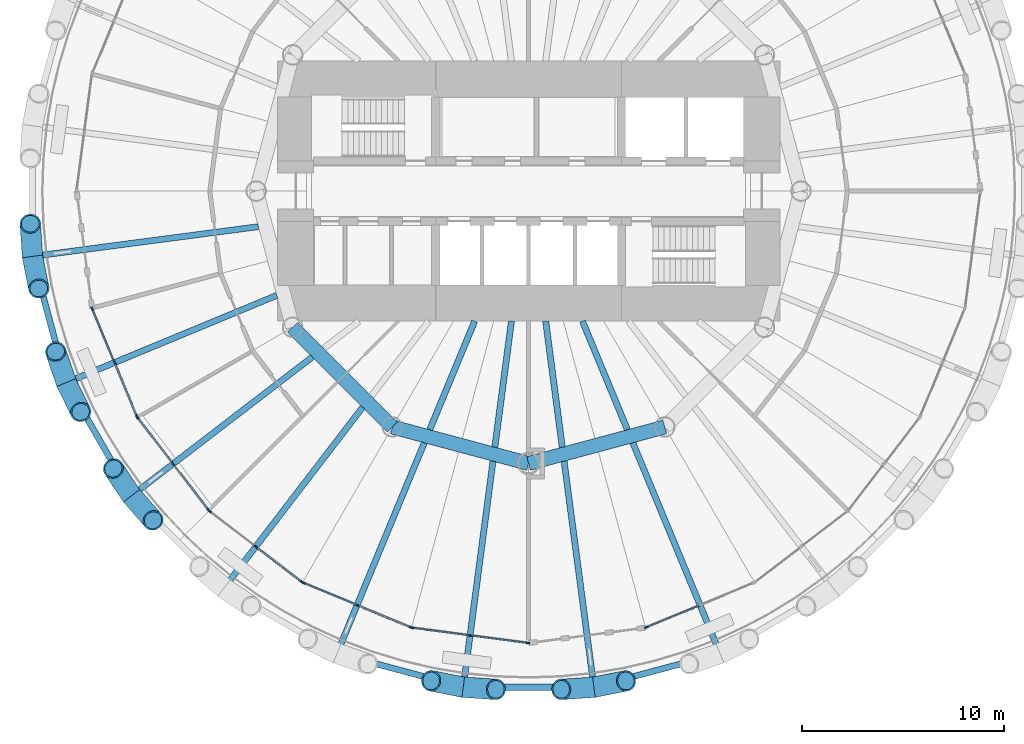
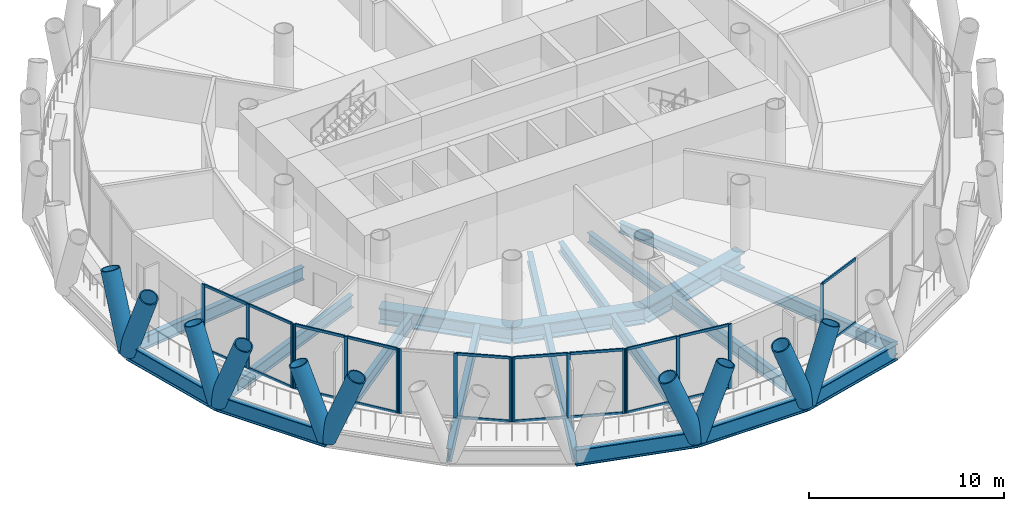
# One storey, part 2 of 14: 46 members, 20 beams, 6 elements without a shape of their own.
"""IFC4 building model written with IfcOpenShell, lengths in metres."""

from ifc_helpers import new_model, si_unit, direction, frame, origin, origin_2d, place, context, subcontext, project, spatial, rectangle, hollow_circle, i_section, extrude, material, material_profile, profile_set, type_object, element, aggregate, save


model = new_model("IFC4")

# Units and contexts
model_context = context("Model", 3, precision=1e-05, world=origin(), true_north=direction((0.0, 1.0)))
body_context = subcontext(model_context, "Body", "Model", "MODEL_VIEW")
ifc_project = project(units=[si_unit("LENGTHUNIT", "METRE"), si_unit("AREAUNIT", "SQUARE_METRE"), si_unit("VOLUMEUNIT", "CUBIC_METRE"), si_unit("PLANEANGLEUNIT", "RADIAN"), si_unit("MASSUNIT", "GRAM", prefix="KILO")], contexts=[model_context])

# Site, building, storey
site_placement = place(None, origin())
site = spatial("IfcSite", under=ifc_project, at=site_placement, CompositionType="ELEMENT")
building_placement = place(site_placement, origin())
building = spatial("IfcBuilding", under=site, at=building_placement, Name="Qaws Media Tower", CompositionType="ELEMENT")
storey_placement = place(building_placement, frame((0.0, 0.0, 152.0)))
storey = spatial("IfcBuildingStorey", under=building, at=storey_placement, Name="L34", CompositionType="ELEMENT", Elevation=152.0)

# Curtain wall, members
ifc_material_1 = material(Name="Aluminium and clear glass", Category="aluminium")
curtain_wall_type = type_object("IfcCurtainWallType", Name="Unitised curtain wall CW-B", PredefinedType="NOTDEFINED", material=ifc_material_1)
curtain_wall_1_placement = place(storey_placement, origin())
curtain_wall_1 = element("IfcCurtainWall", 1, at=curtain_wall_1_placement, inside=storey, type_object=curtain_wall_type, Name="CWB curtain wall L34-14", PredefinedType="NOTDEFINED")
ifc_material_2 = material(Name="Aluminium mullion", Category="aluminium")
ifc_material_profile_1 = material_profile(ifc_material_2, rectangle(XDim=0.080078125, YDim=0.199951171875, at=origin_2d()), Name="80x200")
ifc_profile_set_1 = profile_set([ifc_material_profile_1], Name="Aluminium mullion")
member_type_1 = type_object("IfcMemberType", Name="Curtain wall mullion 80x200", PredefinedType="MULLION", material=ifc_profile_set_1)
member_1_placement = place(storey_placement, frame((38.378662109375, 44.16552734375, 0.0), z_axis=(0.0, 0.0, 1.0), x_axis=(0.923879490353, 0.382683534144, 0.0)))
member_1 = element("IfcMember", 2, at=member_1_placement, type_object=member_type_1, Name="CWB mullion 1", PredefinedType="MULLION", context=body_context, shape_type="SweptSolid", body=[
    extrude(rectangle(XDim=0.080078125, YDim=0.199951171875, at=origin_2d()), origin(), (0.0, 0.0, 1.0), 4.0400390625),
])
member_2_placement = place(storey_placement, frame((39.482177734375, 41.501220703125, 0.0), z_axis=(0.0, 0.0, 1.0), x_axis=(0.923879490353, 0.382683534144, 0.0)))
member_2 = element("IfcMember", 3, at=member_2_placement, type_object=member_type_1, Name="CWB mullion 2", PredefinedType="MULLION", context=body_context, shape_type="SweptSolid", body=[
    extrude(rectangle(XDim=0.080078125, YDim=0.199951171875, at=origin_2d()), origin(), (0.0, 0.0, 1.0), 4.0400390625),
])
member_3_placement = place(storey_placement, frame((40.585693359375, 38.8369140625, 0.0), z_axis=(0.0, 0.0, 1.0), x_axis=(0.923879490353, 0.382683534144, 0.0)))
member_3 = element("IfcMember", 4, at=member_3_placement, type_object=member_type_1, Name="CWB mullion 3", PredefinedType="MULLION", context=body_context, shape_type="SweptSolid", body=[
    extrude(rectangle(XDim=0.080078125, YDim=0.199951171875, at=origin_2d()), origin(), (0.0, 0.0, 1.0), 4.0400390625),
])

curtain_wall_2_placement = place(storey_placement, origin())
curtain_wall_2 = element("IfcCurtainWall", 5, at=curtain_wall_2_placement, inside=storey, type_object=curtain_wall_type, Name="CWB curtain wall L34-15", PredefinedType="NOTDEFINED")
member_4_placement = place(storey_placement, frame((40.62548828125, 38.768310546875, 0.0), z_axis=(0.0, 0.0, 1.0), x_axis=(0.793353358789, 0.608761404902, 0.0)))
member_4 = element("IfcMember", 6, at=member_4_placement, type_object=member_type_1, Name="CWB mullion 1", PredefinedType="MULLION", context=body_context, shape_type="SweptSolid", body=[
    extrude(rectangle(XDim=0.080078125, YDim=0.199951171875, at=origin_2d()), origin(), (0.0, 0.0, 1.0), 4.0400390625),
])
member_5_placement = place(storey_placement, frame((42.380859375, 36.48046875, 0.0), z_axis=(0.0, 0.0, 1.0), x_axis=(0.793353358789, 0.608761404902, 0.0)))
member_5 = element("IfcMember", 7, at=member_5_placement, type_object=member_type_1, Name="CWB mullion 2", PredefinedType="MULLION", context=body_context, shape_type="SweptSolid", body=[
    extrude(rectangle(XDim=0.080078125, YDim=0.199951171875, at=origin_2d()), origin(), (0.0, 0.0, 1.0), 4.0400390625),
])
member_6_placement = place(storey_placement, frame((44.136474609375, 34.192626953125, 0.0), z_axis=(0.0, 0.0, 1.0), x_axis=(0.793353358789, 0.608761404902, 0.0)))
member_6 = element("IfcMember", 8, at=member_6_placement, type_object=member_type_1, Name="CWB mullion 3", PredefinedType="MULLION", context=body_context, shape_type="SweptSolid", body=[
    extrude(rectangle(XDim=0.080078125, YDim=0.199951171875, at=origin_2d()), origin(), (0.0, 0.0, 1.0), 4.0400390625),
])

curtain_wall_3_placement = place(storey_placement, origin())
curtain_wall_3 = element("IfcCurtainWall", 9, at=curtain_wall_3_placement, inside=storey, type_object=curtain_wall_type, Name="CWB curtain wall L34-16", PredefinedType="NOTDEFINED")
member_7_placement = place(storey_placement, frame((44.192626953125, 34.136474609375, 0.0), z_axis=(0.0, 0.0, 1.0), x_axis=(0.608761404902, 0.793353358789, 0.0)))
member_7 = element("IfcMember", 10, at=member_7_placement, type_object=member_type_1, Name="CWB mullion 1", PredefinedType="MULLION", context=body_context, shape_type="SweptSolid", body=[
    extrude(rectangle(XDim=0.080078125, YDim=0.199951171875, at=origin_2d()), origin(), (0.0, 0.0, 1.0), 4.0400390625),
])
member_8_placement = place(storey_placement, frame((46.48046875, 32.380859375, 0.0), z_axis=(0.0, 0.0, 1.0), x_axis=(0.608761404902, 0.793353358789, 0.0)))
member_8 = element("IfcMember", 11, at=member_8_placement, type_object=member_type_1, Name="CWB mullion 2", PredefinedType="MULLION", context=body_context, shape_type="SweptSolid", body=[
    extrude(rectangle(XDim=0.080078125, YDim=0.199951171875, at=origin_2d()), origin(), (0.0, 0.0, 1.0), 4.0400390625),
])
member_9_placement = place(storey_placement, frame((48.768310546875, 30.62548828125, 0.0), z_axis=(0.0, 0.0, 1.0), x_axis=(0.608761404902, 0.793353358789, 0.0)))
member_9 = element("IfcMember", 12, at=member_9_placement, type_object=member_type_1, Name="CWB mullion 3", PredefinedType="MULLION", context=body_context, shape_type="SweptSolid", body=[
    extrude(rectangle(XDim=0.080078125, YDim=0.199951171875, at=origin_2d()), origin(), (0.0, 0.0, 1.0), 4.0400390625),
])

curtain_wall_4_placement = place(storey_placement, origin())
curtain_wall_4 = element("IfcCurtainWall", 13, at=curtain_wall_4_placement, inside=storey, type_object=curtain_wall_type, Name="CWB curtain wall L34-17", PredefinedType="NOTDEFINED")
member_10_placement = place(storey_placement, frame((48.8369140625, 30.585693359375, 0.0), z_axis=(0.0, 0.0, 1.0), x_axis=(0.382683534144, 0.923879490353, 0.0)))
member_10 = element("IfcMember", 14, at=member_10_placement, type_object=member_type_1, Name="CWB mullion 1", PredefinedType="MULLION", context=body_context, shape_type="SweptSolid", body=[
    extrude(rectangle(XDim=0.080078125, YDim=0.199951171875, at=origin_2d()), origin(), (0.0, 0.0, 1.0), 4.0400390625),
])
member_11_placement = place(storey_placement, frame((51.501220703125, 29.482177734375, 0.0), z_axis=(0.0, 0.0, 1.0), x_axis=(0.382683534144, 0.923879490353, 0.0)))
member_11 = element("IfcMember", 15, at=member_11_placement, type_object=member_type_1, Name="CWB mullion 2", PredefinedType="MULLION", context=body_context, shape_type="SweptSolid", body=[
    extrude(rectangle(XDim=0.080078125, YDim=0.199951171875, at=origin_2d()), origin(), (0.0, 0.0, 1.0), 4.0400390625),
])
member_12_placement = place(storey_placement, frame((54.16552734375, 28.378662109375, 0.0), z_axis=(0.0, 0.0, 1.0), x_axis=(0.382683534144, 0.923879490353, 0.0)))
member_12 = element("IfcMember", 16, at=member_12_placement, type_object=member_type_1, Name="CWB mullion 3", PredefinedType="MULLION", context=body_context, shape_type="SweptSolid", body=[
    extrude(rectangle(XDim=0.080078125, YDim=0.199951171875, at=origin_2d()), origin(), (0.0, 0.0, 1.0), 4.0400390625),
])

curtain_wall_5_placement = place(storey_placement, origin())
curtain_wall_5 = element("IfcCurtainWall", 17, at=curtain_wall_5_placement, inside=storey, type_object=curtain_wall_type, Name="CWB curtain wall L34-18", PredefinedType="NOTDEFINED")
member_13_placement = place(storey_placement, frame((54.2421875, 28.358154296875, 0.0), z_axis=(0.0, 0.0, 1.0), x_axis=(0.130526101045, 0.991444873377, 0.0)))
member_13 = element("IfcMember", 18, at=member_13_placement, type_object=member_type_1, Name="CWB mullion 1", PredefinedType="MULLION", context=body_context, shape_type="SweptSolid", body=[
    extrude(rectangle(XDim=0.080078125, YDim=0.199951171875, at=origin_2d()), origin(), (0.0, 0.0, 1.0), 4.0400390625),
])
member_14_placement = place(storey_placement, frame((57.101318359375, 27.981689453125, 0.0), z_axis=(0.0, 0.0, 1.0), x_axis=(0.130526101045, 0.991444873377, 0.0)))
member_14 = element("IfcMember", 19, at=member_14_placement, type_object=member_type_1, Name="CWB mullion 2", PredefinedType="MULLION", context=body_context, shape_type="SweptSolid", body=[
    extrude(rectangle(XDim=0.080078125, YDim=0.199951171875, at=origin_2d()), origin(), (0.0, 0.0, 1.0), 4.0400390625),
])
member_15_placement = place(storey_placement, frame((59.96044921875, 27.605224609375, 0.0), z_axis=(0.0, 0.0, 1.0), x_axis=(0.130526101045, 0.991444873377, 0.0)))
member_15 = element("IfcMember", 20, at=member_15_placement, type_object=member_type_1, Name="CWB mullion 3", PredefinedType="MULLION", context=body_context, shape_type="SweptSolid", body=[
    extrude(rectangle(XDim=0.080078125, YDim=0.199951171875, at=origin_2d()), origin(), (0.0, 0.0, 1.0), 4.0400390625),
])

# Curtain wall, member
curtain_wall_6_placement = place(storey_placement, origin())
curtain_wall_6 = element("IfcCurtainWall", 21, at=curtain_wall_6_placement, inside=storey, type_object=curtain_wall_type, Name="CWB curtain wall L34-20", PredefinedType="NOTDEFINED")
member_16_placement = place(storey_placement, frame((65.83447265625, 28.378662109375, 0.0), z_axis=(0.0, 0.0, 1.0), x_axis=(-0.382683534144, 0.923879490353, 0.0)))
member_16 = element("IfcMember", 22, at=member_16_placement, type_object=member_type_1, Name="CWB mullion 1", PredefinedType="MULLION", context=body_context, shape_type="SweptSolid", body=[
    extrude(rectangle(XDim=0.080078125, YDim=0.199951171875, at=origin_2d()), origin(), (0.0, 0.0, 1.0), 4.0400390625),
])

# Member
ifc_material_3 = material(Name="Aluminium transom", Category="aluminium")
ifc_material_profile_2 = material_profile(ifc_material_3, rectangle(XDim=0.080078125, YDim=0.159912109375, at=origin_2d()), Name="80x160")
ifc_profile_set_2 = profile_set([ifc_material_profile_2], Name="Aluminium transom")
member_type_2 = type_object("IfcMemberType", Name="Curtain wall transom 80x160", PredefinedType="USERDEFINED", material=ifc_profile_set_2)
member_17_placement = place(storey_placement, frame((38.393798828125, 44.128662109375, 0.0400390625), z_axis=(0.382667074186, -0.923886308121, 0.0), x_axis=(0.923886308121, 0.382667074186, 0.0)))
member_17 = element("IfcMember", 23, at=member_17_placement, type_object=member_type_2, Name="CWB transom 1.1", ObjectType="TRANSOM", PredefinedType="USERDEFINED", context=body_context, shape_type="SweptSolid", body=[
    extrude(rectangle(XDim=0.080078125, YDim=0.159912109375, at=origin_2d()), origin(), (0.0, 0.0, 1.0), 2.803955078125),
])

member_18_placement = place(storey_placement, frame((38.393798828125, 44.128662109375, 4.0), z_axis=(0.382667074186, -0.923886308121, 0.0), x_axis=(0.923886308121, 0.382667074186, 0.0)))
member_18 = element("IfcMember", 24, at=member_18_placement, type_object=member_type_2, Name="CWB transom 1.2", ObjectType="TRANSOM", PredefinedType="USERDEFINED", context=body_context, shape_type="SweptSolid", body=[
    extrude(rectangle(XDim=0.080078125, YDim=0.159912109375, at=origin_2d()), origin(), (0.0, 0.0, 1.0), 2.803955078125),
])

member_19_placement = place(storey_placement, frame((39.49755859375, 41.46435546875, 0.0400390625), z_axis=(0.382623532262, -0.923904341671, 0.0), x_axis=(0.923904341671, 0.382623532262, 0.0)))
member_19 = element("IfcMember", 25, at=member_19_placement, type_object=member_type_2, Name="CWB transom 2.1", ObjectType="TRANSOM", PredefinedType="USERDEFINED", context=body_context, shape_type="SweptSolid", body=[
    extrude(rectangle(XDim=0.080078125, YDim=0.159912109375, at=origin_2d()), origin(), (0.0, 0.0, 1.0), 2.8037109375),
])

member_20_placement = place(storey_placement, frame((39.49755859375, 41.46435546875, 4.0), z_axis=(0.382623532262, -0.923904341671, 0.0), x_axis=(0.923904341671, 0.382623532262, 0.0)))
member_20 = element("IfcMember", 26, at=member_20_placement, type_object=member_type_2, Name="CWB transom 2.2", ObjectType="TRANSOM", PredefinedType="USERDEFINED", context=body_context, shape_type="SweptSolid", body=[
    extrude(rectangle(XDim=0.080078125, YDim=0.159912109375, at=origin_2d()), origin(), (0.0, 0.0, 1.0), 2.8037109375),
])

aggregate(curtain_wall_1, [member_1, member_2, member_3, member_17, member_18, member_19, member_20])

member_21_placement = place(storey_placement, frame((40.649658203125, 38.736572265625, 0.0400390625), z_axis=(0.608809864482, -0.793316172096, 0.0), x_axis=(0.793316172096, 0.608809864482, 0.0)))
member_21 = element("IfcMember", 27, at=member_21_placement, type_object=member_type_2, Name="CWB transom 1.1", ObjectType="TRANSOM", PredefinedType="USERDEFINED", context=body_context, shape_type="SweptSolid", body=[
    extrude(rectangle(XDim=0.080078125, YDim=0.159912109375, at=origin_2d()), origin(), (0.0, 0.0, 1.0), 2.803955078125),
])

member_22_placement = place(storey_placement, frame((40.649658203125, 38.736572265625, 4.0), z_axis=(0.608809864482, -0.793316172096, 0.0), x_axis=(0.793316172096, 0.608809864482, 0.0)))
member_22 = element("IfcMember", 28, at=member_22_placement, type_object=member_type_2, Name="CWB transom 1.2", ObjectType="TRANSOM", PredefinedType="USERDEFINED", context=body_context, shape_type="SweptSolid", body=[
    extrude(rectangle(XDim=0.080078125, YDim=0.159912109375, at=origin_2d()), origin(), (0.0, 0.0, 1.0), 2.803955078125),
])

member_23_placement = place(storey_placement, frame((42.4052734375, 36.44873046875, 0.0400390625), z_axis=(0.608755061094, -0.793358226524, 0.0), x_axis=(0.793358226524, 0.608755061094, 0.0)))
member_23 = element("IfcMember", 29, at=member_23_placement, type_object=member_type_2, Name="CWB transom 2.1", ObjectType="TRANSOM", PredefinedType="USERDEFINED", context=body_context, shape_type="SweptSolid", body=[
    extrude(rectangle(XDim=0.080078125, YDim=0.159912109375, at=origin_2d()), origin(), (0.0, 0.0, 1.0), 2.8037109375),
])

member_24_placement = place(storey_placement, frame((42.4052734375, 36.44873046875, 4.0), z_axis=(0.608755061094, -0.793358226524, 0.0), x_axis=(0.793358226524, 0.608755061094, 0.0)))
member_24 = element("IfcMember", 30, at=member_24_placement, type_object=member_type_2, Name="CWB transom 2.2", ObjectType="TRANSOM", PredefinedType="USERDEFINED", context=body_context, shape_type="SweptSolid", body=[
    extrude(rectangle(XDim=0.080078125, YDim=0.159912109375, at=origin_2d()), origin(), (0.0, 0.0, 1.0), 2.8037109375),
])

aggregate(curtain_wall_2, [member_4, member_5, member_6, member_21, member_22, member_23, member_24])

member_25_placement = place(storey_placement, frame((46.51220703125, 32.356689453125, 0.0400390625), z_axis=(0.793316172096, -0.608809864482, 0.0), x_axis=(0.608809864482, 0.793316172096, 0.0)))
member_25 = element("IfcMember", 31, at=member_25_placement, type_object=member_type_2, Name="CWB transom 2.1", ObjectType="TRANSOM", PredefinedType="USERDEFINED", context=body_context, shape_type="SweptSolid", body=[
    extrude(rectangle(XDim=0.080078125, YDim=0.159912109375, at=origin_2d()), origin(), (0.0, 0.0, 1.0), 2.803955078125),
])

member_26_placement = place(storey_placement, frame((46.51220703125, 32.356689453125, 4.0), z_axis=(0.793316172096, -0.608809864482, 0.0), x_axis=(0.608809864482, 0.793316172096, 0.0)))
member_26 = element("IfcMember", 32, at=member_26_placement, type_object=member_type_2, Name="CWB transom 2.2", ObjectType="TRANSOM", PredefinedType="USERDEFINED", context=body_context, shape_type="SweptSolid", body=[
    extrude(rectangle(XDim=0.080078125, YDim=0.159912109375, at=origin_2d()), origin(), (0.0, 0.0, 1.0), 2.803955078125),
])

aggregate(curtain_wall_3, [member_7, member_8, member_9, member_25, member_26])

member_27_placement = place(storey_placement, frame((48.8740234375, 30.5703125, 0.0400390625), z_axis=(0.923904341671, -0.382623532262, 0.0), x_axis=(0.382623532262, 0.923904341671, 0.0)))
member_27 = element("IfcMember", 33, at=member_27_placement, type_object=member_type_2, Name="CWB transom 1.1", ObjectType="TRANSOM", PredefinedType="USERDEFINED", context=body_context, shape_type="SweptSolid", body=[
    extrude(rectangle(XDim=0.080078125, YDim=0.159912109375, at=origin_2d()), origin(), (0.0, 0.0, 1.0), 2.8037109375),
])

member_28_placement = place(storey_placement, frame((48.8740234375, 30.5703125, 4.0), z_axis=(0.923904341671, -0.382623532262, 0.0), x_axis=(0.382623532262, 0.923904341671, 0.0)))
member_28 = element("IfcMember", 34, at=member_28_placement, type_object=member_type_2, Name="CWB transom 1.2", ObjectType="TRANSOM", PredefinedType="USERDEFINED", context=body_context, shape_type="SweptSolid", body=[
    extrude(rectangle(XDim=0.080078125, YDim=0.159912109375, at=origin_2d()), origin(), (0.0, 0.0, 1.0), 2.8037109375),
])

member_29_placement = place(storey_placement, frame((51.5380859375, 29.466796875, 0.0400390625), z_axis=(0.923886308121, -0.382667074186, 0.0), x_axis=(0.382667074186, 0.923886308121, 0.0)))
member_29 = element("IfcMember", 35, at=member_29_placement, type_object=member_type_2, Name="CWB transom 2.1", ObjectType="TRANSOM", PredefinedType="USERDEFINED", context=body_context, shape_type="SweptSolid", body=[
    extrude(rectangle(XDim=0.080078125, YDim=0.159912109375, at=origin_2d()), origin(), (0.0, 0.0, 1.0), 2.803955078125),
])

member_30_placement = place(storey_placement, frame((51.5380859375, 29.466796875, 4.0), z_axis=(0.923886308121, -0.382667074186, 0.0), x_axis=(0.382667074186, 0.923886308121, 0.0)))
member_30 = element("IfcMember", 36, at=member_30_placement, type_object=member_type_2, Name="CWB transom 2.2", ObjectType="TRANSOM", PredefinedType="USERDEFINED", context=body_context, shape_type="SweptSolid", body=[
    extrude(rectangle(XDim=0.080078125, YDim=0.159912109375, at=origin_2d()), origin(), (0.0, 0.0, 1.0), 2.803955078125),
])

aggregate(curtain_wall_4, [member_10, member_11, member_12, member_27, member_28, member_29, member_30])

member_31_placement = place(storey_placement, frame((54.28173828125, 28.352783203125, 0.0400390625), z_axis=(0.991444808835, -0.130526591291, 0.0), x_axis=(0.130526591291, 0.991444808835, 0.0)))
member_31 = element("IfcMember", 37, at=member_31_placement, type_object=member_type_2, Name="CWB transom 1.1", ObjectType="TRANSOM", PredefinedType="USERDEFINED", context=body_context, shape_type="SweptSolid", body=[
    extrude(rectangle(XDim=0.080078125, YDim=0.159912109375, at=origin_2d()), origin(), (0.0, 0.0, 1.0), 2.8037109375),
])

member_32_placement = place(storey_placement, frame((54.28173828125, 28.352783203125, 4.0), z_axis=(0.991444808835, -0.130526591291, 0.0), x_axis=(0.130526591291, 0.991444808835, 0.0)))
member_32 = element("IfcMember", 38, at=member_32_placement, type_object=member_type_2, Name="CWB transom 1.2", ObjectType="TRANSOM", PredefinedType="USERDEFINED", context=body_context, shape_type="SweptSolid", body=[
    extrude(rectangle(XDim=0.080078125, YDim=0.159912109375, at=origin_2d()), origin(), (0.0, 0.0, 1.0), 2.8037109375),
])

member_33_placement = place(storey_placement, frame((57.140869140625, 27.976318359375, 0.0400390625), z_axis=(0.991444808835, -0.130526591291, 0.0), x_axis=(0.130526591291, 0.991444808835, 0.0)))
member_33 = element("IfcMember", 39, at=member_33_placement, type_object=member_type_2, Name="CWB transom 2.1", ObjectType="TRANSOM", PredefinedType="USERDEFINED", context=body_context, shape_type="SweptSolid", body=[
    extrude(rectangle(XDim=0.080078125, YDim=0.159912109375, at=origin_2d()), origin(), (0.0, 0.0, 1.0), 2.8037109375),
])

member_34_placement = place(storey_placement, frame((57.140869140625, 27.976318359375, 4.0), z_axis=(0.991444808835, -0.130526591291, 0.0), x_axis=(0.130526591291, 0.991444808835, 0.0)))
member_34 = element("IfcMember", 40, at=member_34_placement, type_object=member_type_2, Name="CWB transom 2.2", ObjectType="TRANSOM", PredefinedType="USERDEFINED", context=body_context, shape_type="SweptSolid", body=[
    extrude(rectangle(XDim=0.080078125, YDim=0.159912109375, at=origin_2d()), origin(), (0.0, 0.0, 1.0), 2.8037109375),
])

aggregate(curtain_wall_5, [member_13, member_14, member_15, member_31, member_32, member_33, member_34])

member_35_placement = place(storey_placement, frame((65.871337890625, 28.393798828125, 0.0400390625), z_axis=(0.923886308121, 0.382667074186, 0.0), x_axis=(-0.382667074186, 0.923886308121, 0.0)))
member_35 = element("IfcMember", 41, at=member_35_placement, type_object=member_type_2, Name="CWB transom 1.1", ObjectType="TRANSOM", PredefinedType="USERDEFINED", context=body_context, shape_type="SweptSolid", body=[
    extrude(rectangle(XDim=0.080078125, YDim=0.159912109375, at=origin_2d()), origin(), (0.0, 0.0, 1.0), 2.803955078125),
])

member_36_placement = place(storey_placement, frame((65.871337890625, 28.393798828125, 4.0), z_axis=(0.923886308121, 0.382667074186, 0.0), x_axis=(-0.382667074186, 0.923886308121, 0.0)))
member_36 = element("IfcMember", 42, at=member_36_placement, type_object=member_type_2, Name="CWB transom 1.2", ObjectType="TRANSOM", PredefinedType="USERDEFINED", context=body_context, shape_type="SweptSolid", body=[
    extrude(rectangle(XDim=0.080078125, YDim=0.159912109375, at=origin_2d()), origin(), (0.0, 0.0, 1.0), 2.803955078125),
])

aggregate(curtain_wall_6, [member_16, member_35, member_36])

# Members
ifc_material_4 = material(Name="Steel S460", Category="steel")
ifc_material_profile_3 = material_profile(ifc_material_4, hollow_circle(Radius=0.508056640625, WallThickness=0.070068359375, at=origin_2d()), Name="CHS 1016x70")
ifc_profile_set_3 = profile_set([ifc_material_profile_3], Name="Steel S460")
member_type_3 = type_object("IfcMemberType", Name="Diagrid member CHS 1016x70", PredefinedType="USERDEFINED", material=ifc_profile_set_3)
for number, where, z_axis, x_axis, name in (
    (43, (35.412109375, 46.762939453125, -0.6640625), (0.069626876217, -0.353448581919, 0.93285915231), (0.981143948229, 0.193278433496, 0.0), "DG3 diagrid L34 A13"),
    (44, (35.412109375, 46.762939453125, -0.6640625), (-0.024238889861, 0.359462194382, 0.932844792572), (-0.997734254857, -0.067278203639, 0.0), "DG3 diagrid L34 B13"),
    (45, (37.087890625, 40.509521484375, -0.6640625), (0.158720229381, -0.323405346097, 0.932854153071), (0.897714157558, 0.440578360022, 0.0), "DG3 diagrid L34 A14"),
    (46, (37.087890625, 40.509521484375, -0.6640625), (-0.116477357075, 0.340918595871, 0.932849149797), (-0.946293709048, -0.323308237162, 0.0), "DG3 diagrid L34 B14"),
    (47, (40.324951171875, 34.90283203125, -0.6640625), (0.236968604592, -0.271348031437, 0.932853753958), (0.753210401696, 0.657779667348, 0.0), "DG3 diagrid L34 A15"),
    (48, (40.324951171875, 34.90283203125, -0.6640625), (-0.200743958142, 0.29916380796, 0.932846653677), (-0.830379316949, -0.557198519366, 0.0), "DG3 diagrid L34 B15"),
    (49, (56.762939453125, 25.412109375, -0.6640625), (0.359462194382, -0.024238889861, 0.932844792572), (0.067278203639, 0.997734254857, 0.0), "DG3 diagrid L34 A18"),
    (50, (56.762939453125, 25.412109375, -0.6640625), (-0.353448581919, 0.069626876217, 0.93285915231), (-0.193278433496, -0.981143948229, 0.0), "DG3 diagrid L34 B18"),
    (51, (63.237060546875, 25.412109375, -0.6640625), (0.353448581919, 0.069626876217, 0.93285915231), (-0.193278433496, 0.981143948229, 0.0), "DG3 diagrid L34 A19"),
    (52, (63.237060546875, 25.412109375, -0.6640625), (-0.359462194382, -0.024238889861, 0.932844792572), (0.067278203639, -0.997734254857, 0.0), "DG3 diagrid L34 B19"),
):
    element("IfcMember", number, at=place(storey_placement, frame(where, z_axis=z_axis, x_axis=x_axis)), inside=storey, type_object=member_type_3, Name=name, ObjectType="DIAGRID", PredefinedType="USERDEFINED", context=body_context, shape_type="SweptSolid", body=[
        extrude(hollow_circle(Radius=0.508056640625, WallThickness=0.070068359375, at=origin_2d()), origin(), (0.0, 0.0, 1.0), 4.502197265625),
    ])

# Beams
ifc_material_5 = material(Name="Steel S460", Category="steel")
ifc_material_profile_4 = material_profile(ifc_material_5, i_section(OverallWidth=0.302001953125, OverallDepth=1.008056640625, WebThickness=0.02099609375, FlangeThickness=0.0400390625, FilletRadius=0.030029296875, at=origin_2d()), Name="HE 1000 M")
ifc_profile_set_4 = profile_set([ifc_material_profile_4], Name="Steel S460")
beam_type_1 = type_object("IfcBeamType", Name="Edge ring beam HE 1000 M", PredefinedType="BEAM", material=ifc_profile_set_4)
for number, where, z_axis, x_axis, name in (
    (53, (35.412109375, 46.762939453125, -0.6640625), (0.258845411707, -0.965918760993, 0.0), (0.965918760993, 0.258845411707, 0.0), "RB3 edge ring beam L34-13"),
    (54, (37.087890625, 40.509521484375, -0.6640625), (0.500004272639, -0.866022936961, 0.0), (0.866022936961, 0.500004272639, 0.0), "RB3 edge ring beam L34-14"),
    (55, (50.509521484375, 27.087890625, -0.6640625), (0.965918760993, -0.258845411707, 0.0), (0.258845411707, 0.965918760993, 0.0), "RB3 edge ring beam L34-17"),
    (56, (56.762939453125, 25.412109375, -0.6640625), (1.0, 0.0, 0.0), (0.0, 1.0, 0.0), "RB3 edge ring beam L34-18"),
    (57, (63.237060546875, 25.412109375, -0.6640625), (0.965918760993, 0.258845411707, 0.0), (-0.258845411707, 0.965918760993, 0.0), "RB3 edge ring beam L34-19"),
):
    element("IfcBeam", number, at=place(storey_placement, frame(where, z_axis=z_axis, x_axis=x_axis)), inside=storey, type_object=beam_type_1, Name=name, PredefinedType="BEAM", context=body_context, shape_type="SweptSolid", body=[
        extrude(i_section(OverallWidth=0.302001953125, OverallDepth=1.008056640625, WebThickness=0.02099609375, FlangeThickness=0.0400390625, FilletRadius=0.030029296875, at=origin_2d()), origin(), (0.0, 0.0, 1.0), 6.47412109375),
    ])
ifc_material_6 = material(Name="Steel S460", Category="steel")
ifc_material_profile_5 = material_profile(ifc_material_6, i_section(OverallWidth=0.699951171875, OverallDepth=1.0, WebThickness=0.034912109375, FlangeThickness=0.090087890625, at=origin_2d()), Name="PG 1000x700")
ifc_profile_set_5 = profile_set([ifc_material_profile_5], Name="Steel S460")
beam_type_2 = type_object("IfcBeamType", Name="Inner ring girder PG 1000x700", PredefinedType="BEAM", material=ifc_profile_set_5)
beam_1_placement = place(storey_placement, frame((48.30859375, 43.25, -0.659912109375), z_axis=(0.707106781187, -0.707106781187, 0.0), x_axis=(0.707106781187, 0.707106781187, 0.0)))
element("IfcBeam", 58, at=beam_1_placement, inside=storey, type_object=beam_type_2, Name="B3 inner ring beam L34 I08-I09", PredefinedType="BEAM", context=body_context, shape_type="SweptSolid", body=[
    extrude(i_section(OverallWidth=0.699951171875, OverallDepth=1.0, WebThickness=0.034912109375, FlangeThickness=0.090087890625, at=origin_2d()), origin(), (0.0, 0.0, 1.0), 6.98828125),
])
for number, where, z_axis, x_axis, name in (
    (59, (53.25, 38.30859375, -0.659912109375), (0.965928090778, -0.258810593767, 0.0), (0.258810593767, 0.965928090778, 0.0), "B3 inner ring beam L34 I09-I10"),
    (60, (60.0, 36.5, -0.659912109375), (0.965928090778, 0.258810593767, 0.0), (-0.258810593767, 0.965928090778, 0.0), "B3 inner ring beam L34 I10-I11"),
):
    element("IfcBeam", number, at=place(storey_placement, frame(where, z_axis=z_axis, x_axis=x_axis)), inside=storey, type_object=beam_type_2, Name=name, PredefinedType="BEAM", context=body_context, shape_type="SweptSolid", body=[
        extrude(i_section(OverallWidth=0.699951171875, OverallDepth=1.0, WebThickness=0.034912109375, FlangeThickness=0.090087890625, at=origin_2d()), origin(), (0.0, 0.0, 1.0), 6.988037109375),
    ])
ifc_material_7 = material(Name="Steel S355", Category="steel")
ifc_material_profile_6 = material_profile(ifc_material_7, i_section(OverallWidth=0.304931640625, OverallDepth=0.6201171875, WebThickness=0.02099609375, FlangeThickness=0.0400390625, FilletRadius=0.027099609375, at=origin_2d()), Name="HE 600 M")
ifc_profile_set_6 = profile_set([ifc_material_profile_6], Name="Steel S355")
beam_type_3 = type_object("IfcBeamType", Name="Radial beam HE 600 M, core side", PredefinedType="BEAM", material=ifc_profile_set_6)
beam_2_placement = place(storey_placement, frame((57.328369140625, 43.550048828125, -0.469970703125), z_axis=(-0.382692744599, -0.923875675203, 0.0), x_axis=(0.923875675203, -0.382692744599, 0.0)))
element("IfcBeam", 61, at=beam_2_placement, inside=storey, type_object=beam_type_3, Name="B2 radial beam L34 17", PredefinedType="BEAM", context=body_context, shape_type="SweptSolid", body=[
    extrude(i_section(OverallWidth=0.304931640625, OverallDepth=0.6201171875, WebThickness=0.02099609375, FlangeThickness=0.0400390625, FilletRadius=0.027099609375, at=origin_2d()), origin(), (0.0, 0.0, 1.0), 5.818115234375),
])
for number, where, z_axis, x_axis, name in (
    (62, (59.15087890625, 43.550048828125, -0.469970703125), (-0.130529769311, -0.991444390434, 0.0), (0.991444390434, -0.130529769311, 0.0), "B2 radial beam L34 18"),
    (63, (60.84912109375, 43.550048828125, -0.469970703125), (0.130529769311, -0.991444390434, 0.0), (0.991444390434, 0.130529769311, 0.0), "B2 radial beam L34 19"),
):
    element("IfcBeam", number, at=place(storey_placement, frame(where, z_axis=z_axis, x_axis=x_axis)), inside=storey, type_object=beam_type_3, Name=name, PredefinedType="BEAM", context=body_context, shape_type="SweptSolid", body=[
        extrude(i_section(OverallWidth=0.304931640625, OverallDepth=0.6201171875, WebThickness=0.02099609375, FlangeThickness=0.0400390625, FilletRadius=0.027099609375, at=origin_2d()), origin(), (0.0, 0.0, 1.0), 6.2939453125),
    ])
beam_3_placement = place(storey_placement, frame((62.671630859375, 43.550048828125, -0.469970703125), z_axis=(0.382692744599, -0.923875675203, 0.0), x_axis=(0.923875675203, 0.382692744599, 0.0)))
element("IfcBeam", 64, at=beam_3_placement, inside=storey, type_object=beam_type_3, Name="B2 radial beam L34 20", PredefinedType="BEAM", context=body_context, shape_type="SweptSolid", body=[
    extrude(i_section(OverallWidth=0.304931640625, OverallDepth=0.6201171875, WebThickness=0.02099609375, FlangeThickness=0.0400390625, FilletRadius=0.027099609375, at=origin_2d()), origin(), (0.0, 0.0, 1.0), 5.818115234375),
])
ifc_material_8 = material(Name="Steel S355", Category="steel")
ifc_material_profile_7 = material_profile(ifc_material_8, i_section(OverallWidth=0.300048828125, OverallDepth=0.800048828125, WebThickness=0.017578125, FlangeThickness=0.032958984375, FilletRadius=0.030029296875, at=origin_2d()), Name="HE 800 B")
ifc_profile_set_7 = profile_set([ifc_material_profile_7], Name="Steel S355")
beam_type_4 = type_object("IfcBeamType", Name="Radial beam HE 800 B", PredefinedType="BEAM", material=ifc_profile_set_7)
beam_4_placement = place(storey_placement, frame((46.610107421875, 48.237060546875, -0.56005859375), z_axis=(-0.991446274238, -0.130515460001, 0.0), x_axis=(0.130515460001, -0.991446274238, 0.0)))
element("IfcBeam", 65, at=beam_4_placement, inside=storey, type_object=beam_type_4, Name="B1 radial beam L34 13", PredefinedType="BEAM", context=body_context, shape_type="SweptSolid", body=[
    extrude(i_section(OverallWidth=0.300048828125, OverallDepth=0.800048828125, WebThickness=0.017578125, FlangeThickness=0.032958984375, FilletRadius=0.030029296875, at=origin_2d()), origin(), (0.0, 0.0, 1.0), 11.294677734375),
])
beam_5_placement = place(storey_placement, frame((47.5224609375, 44.83154296875, -0.56005859375), z_axis=(-0.923883259395, -0.382674434747, 0.0), x_axis=(0.382674434747, -0.923883259395, 0.0)))
element("IfcBeam", 66, at=beam_5_placement, inside=storey, type_object=beam_type_4, Name="B1 radial beam L34 14", PredefinedType="BEAM", context=body_context, shape_type="SweptSolid", body=[
    extrude(i_section(OverallWidth=0.300048828125, OverallDepth=0.800048828125, WebThickness=0.017578125, FlangeThickness=0.032958984375, FilletRadius=0.030029296875, at=origin_2d()), origin(), (0.0, 0.0, 1.0), 11.294189453125),
])
for number, where, z_axis, x_axis, name in (
    (67, (49.285400390625, 41.7783203125, -0.56005859375), (-0.79335788277, -0.608755509089, 0.0), (0.608755509089, -0.79335788277, 0.0), "B1 radial beam L34 15"),
    (68, (51.7783203125, 39.285400390625, -0.56005859375), (-0.608755509089, -0.79335788277, 0.0), (0.79335788277, -0.608755509089, 0.0), "B1 radial beam L34 16"),
):
    element("IfcBeam", number, at=place(storey_placement, frame(where, z_axis=z_axis, x_axis=x_axis)), inside=storey, type_object=beam_type_4, Name=name, PredefinedType="BEAM", context=body_context, shape_type="SweptSolid", body=[
        extrude(i_section(OverallWidth=0.300048828125, OverallDepth=0.800048828125, WebThickness=0.017578125, FlangeThickness=0.032958984375, FilletRadius=0.030029296875, at=origin_2d()), origin(), (0.0, 0.0, 1.0), 11.29443359375),
    ])
beam_6_placement = place(storey_placement, frame((54.83154296875, 37.5224609375, -0.56005859375), z_axis=(-0.382674434747, -0.923883259395, 0.0), x_axis=(0.923883259395, -0.382674434747, 0.0)))
element("IfcBeam", 69, at=beam_6_placement, inside=storey, type_object=beam_type_4, Name="B1 radial beam L34 17", PredefinedType="BEAM", context=body_context, shape_type="SweptSolid", body=[
    extrude(i_section(OverallWidth=0.300048828125, OverallDepth=0.800048828125, WebThickness=0.017578125, FlangeThickness=0.032958984375, FilletRadius=0.030029296875, at=origin_2d()), origin(), (0.0, 0.0, 1.0), 11.294189453125),
])
for number, where, z_axis, x_axis, name in (
    (70, (58.237060546875, 36.610107421875, -0.56005859375), (-0.130515460001, -0.991446274238, 0.0), (0.991446274238, -0.130515460001, 0.0), "B1 radial beam L34 18"),
    (71, (61.762939453125, 36.610107421875, -0.56005859375), (0.130515460001, -0.991446274238, 0.0), (0.991446274238, 0.130515460001, 0.0), "B1 radial beam L34 19"),
):
    element("IfcBeam", number, at=place(storey_placement, frame(where, z_axis=z_axis, x_axis=x_axis)), inside=storey, type_object=beam_type_4, Name=name, PredefinedType="BEAM", context=body_context, shape_type="SweptSolid", body=[
        extrude(i_section(OverallWidth=0.300048828125, OverallDepth=0.800048828125, WebThickness=0.017578125, FlangeThickness=0.032958984375, FilletRadius=0.030029296875, at=origin_2d()), origin(), (0.0, 0.0, 1.0), 11.294677734375),
    ])
beam_7_placement = place(storey_placement, frame((65.16845703125, 37.5224609375, -0.56005859375), z_axis=(0.382674434747, -0.923883259395, 0.0), x_axis=(0.923883259395, 0.382674434747, 0.0)))
element("IfcBeam", 72, at=beam_7_placement, inside=storey, type_object=beam_type_4, Name="B1 radial beam L34 20", PredefinedType="BEAM", context=body_context, shape_type="SweptSolid", body=[
    extrude(i_section(OverallWidth=0.300048828125, OverallDepth=0.800048828125, WebThickness=0.017578125, FlangeThickness=0.032958984375, FilletRadius=0.030029296875, at=origin_2d()), origin(), (0.0, 0.0, 1.0), 11.294189453125),
])

save(model, "model.ifc")
